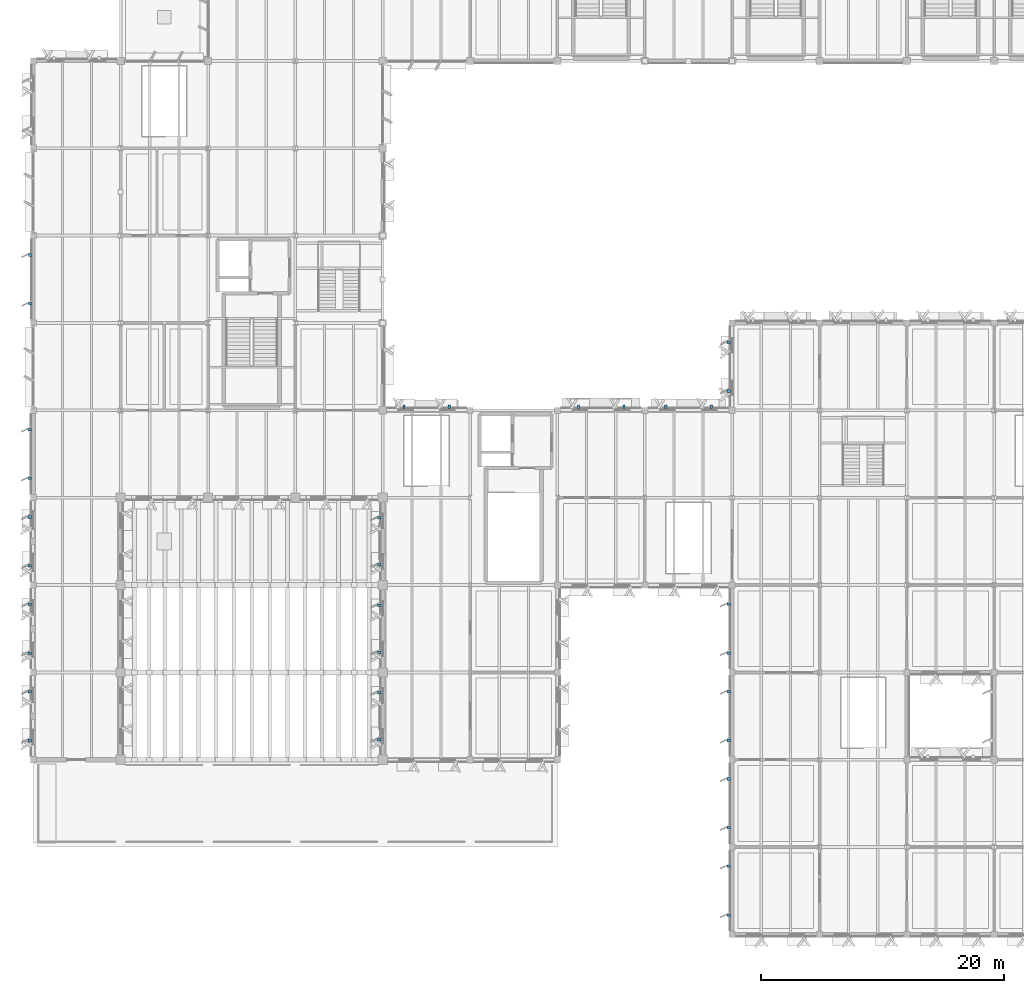
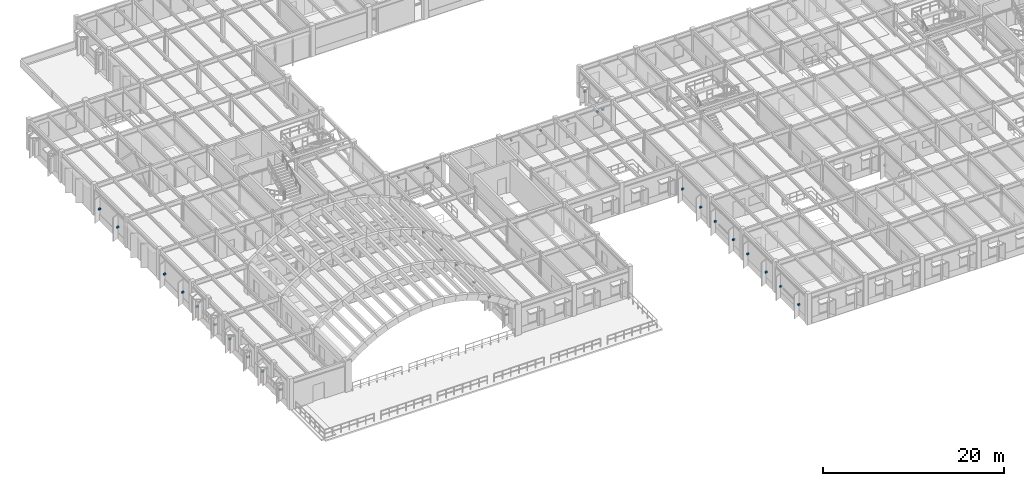
# One storey, part 45 of 85: 32 discrete accessories.
"""IFC4 building model written with IfcOpenShell, lengths in metres."""

from ifc_helpers import new_model, si_unit, direction, frame, origin, origin_2d, place, context, subcontext, project, spatial, rectangle, extrude, material, type_object, element, save


model = new_model("IFC4")

# Units and contexts
model_context = context("Model", 3, precision=1e-05, world=origin(), true_north=direction((0.0, 1.0)))
body_context = subcontext(model_context, "Body", "Model", "MODEL_VIEW")
ifc_project = project(units=[si_unit("LENGTHUNIT", "METRE"), si_unit("AREAUNIT", "SQUARE_METRE"), si_unit("VOLUMEUNIT", "CUBIC_METRE"), si_unit("PLANEANGLEUNIT", "RADIAN"), si_unit("MASSUNIT", "GRAM", prefix="KILO")], contexts=[model_context])

# Site, building, storey
site_placement = place(None, origin())
site = spatial("IfcSite", under=ifc_project, at=site_placement, CompositionType="ELEMENT")
building_placement = place(site_placement, origin())
building = spatial("IfcBuilding", under=site, at=building_placement, Name="Sillqori Civic Hall", CompositionType="ELEMENT")
storey_placement = place(building_placement, frame((0.0, 0.0, 9.89990234375)))
storey = spatial("IfcBuildingStorey", under=building, at=storey_placement, Name="L03", CompositionType="ELEMENT", Elevation=9.89990234375)

# Discrete accessories
ifc_material = material(Name="Steel ASTM A572 Grade 50", Category="steel")
discrete_accessory_type_1 = type_object("IfcDiscreteAccessoryType", Name="BRK-FAC-240", PredefinedType="BRACKET", material=ifc_material)
for number, where, z_axis, x_axis, name in (
    (1, (37.762939453125, 50.679931640625, 2.7001953125), (0.0, 0.0, 1.0), (1.0, 0.0, 0.0), "Sun-hood steel bracket L03-05-06-N.1"),
    (2, (41.487060546875, 50.679931640625, 2.7001953125), (0.0, 0.0, 1.0), (1.0, 0.0, 0.0), "Sun-hood steel bracket L03-05-06-N.2"),
    (3, (52.1240234375, 50.679931640625, 2.7001953125), (0.0, 0.0, 1.0), (1.0, 0.0, 0.0), "Sun-hood steel bracket L03-07-06-N.1"),
    (4, (55.8759765625, 50.679931640625, 2.7001953125), (0.0, 0.0, 1.0), (1.0, 0.0, 0.0), "Sun-hood steel bracket L03-07-06-N.2"),
    (5, (59.323974609375, 50.679931640625, 2.7001953125), (0.0, 0.0, 1.0), (1.0, 0.0, 0.0), "Sun-hood steel bracket L03-08-06-N.1"),
    (6, (63.075927734375, 50.679931640625, 2.7001953125), (0.0, 0.0, 1.0), (1.0, 0.0, 0.0), "Sun-hood steel bracket L03-08-06-N.2"),
):
    element("IfcDiscreteAccessory", number, at=place(storey_placement, frame(where, z_axis=z_axis, x_axis=x_axis)), inside=storey, type_object=discrete_accessory_type_1, Name=name, PredefinedType="BRACKET", context=body_context, shape_type="SweptSolid", body=[
        extrude(rectangle(XDim=0.179931640625, YDim=0.280029296875, at=origin_2d()), origin(), (0.0, 0.0, 1.0), 0.179931640625),
    ])
discrete_accessory_type_2 = type_object("IfcDiscreteAccessoryType", Name="BRK-FIN-280", PredefinedType="BRACKET", material=ifc_material)
for number, where, z_axis, x_axis, name in (
    (7, (6.909912109375, 23.18994140625, 1.6337890625), (0.0, 0.0, 1.0), (0.0, 1.0, 0.0), "Brise-soleil fin steel bracket L03-01-03-W.1"),
    (8, (6.909912109375, 27.2099609375, 1.6337890625), (0.0, 0.0, 1.0), (0.0, 1.0, 0.0), "Brise-soleil fin steel bracket L03-01-03-W.2"),
    (9, (6.909912109375, 30.389892578125, 1.6337890625), (0.0, 0.0, 1.0), (0.0, 1.0, 0.0), "Brise-soleil fin steel bracket L03-01-04-W.1"),
    (10, (6.909912109375, 34.409912109375, 1.6337890625), (0.0, 0.0, 1.0), (0.0, 1.0, 0.0), "Brise-soleil fin steel bracket L03-01-04-W.2"),
    (11, (6.909912109375, 37.590087890625, 1.6337890625), (0.0, 0.0, 1.0), (0.0, 1.0, 0.0), "Brise-soleil fin steel bracket L03-01-05-W.1"),
    (12, (6.909912109375, 41.610107421875, 1.6337890625), (0.0, 0.0, 1.0), (0.0, 1.0, 0.0), "Brise-soleil fin steel bracket L03-01-05-W.2"),
    (13, (6.909912109375, 44.7900390625, 1.6337890625), (0.0, 0.0, 1.0), (0.0, 1.0, 0.0), "Brise-soleil fin steel bracket L03-01-06-W.1"),
    (14, (6.909912109375, 48.81005859375, 1.6337890625), (0.0, 0.0, 1.0), (0.0, 1.0, 0.0), "Brise-soleil fin steel bracket L03-01-06-W.2"),
    (15, (6.949951171875, 59.18994140625, 1.6435546875), (0.0, 0.0, 1.0), (0.0, 1.0, 0.0), "Brise-soleil fin steel bracket L03-01-08-W.1"),
    (16, (6.949951171875, 63.2099609375, 1.6435546875), (0.0, 0.0, 1.0), (0.0, 1.0, 0.0), "Brise-soleil fin steel bracket L03-01-08-W.2"),
    (17, (35.7099609375, 23.264892578125, 1.5751953125), (0.0, 0.0, 1.0), (0.0, 1.0, 0.0), "Brise-soleil fin steel bracket L03-05-03-W.1"),
    (18, (35.7099609375, 27.135009765625, 1.5751953125), (0.0, 0.0, 1.0), (0.0, 1.0, 0.0), "Brise-soleil fin steel bracket L03-05-03-W.2"),
    (19, (35.7099609375, 30.465087890625, 1.5751953125), (0.0, 0.0, 1.0), (0.0, 1.0, 0.0), "Brise-soleil fin steel bracket L03-05-04-W.1"),
    (20, (35.7099609375, 34.3349609375, 1.5751953125), (0.0, 0.0, 1.0), (0.0, 1.0, 0.0), "Brise-soleil fin steel bracket L03-05-04-W.2"),
    (21, (35.7099609375, 37.6650390625, 1.5751953125), (0.0, 0.0, 1.0), (0.0, 1.0, 0.0), "Brise-soleil fin steel bracket L03-05-05-W.1"),
    (22, (35.7099609375, 41.534912109375, 1.5751953125), (0.0, 0.0, 1.0), (0.0, 1.0, 0.0), "Brise-soleil fin steel bracket L03-05-05-W.2"),
    (23, (64.52001953125, 8.7900390625, 1.6435546875), (0.0, 0.0, 1.0), (0.0, 1.0, 0.0), "Brise-soleil fin steel bracket L03-09-01-W.1"),
    (24, (64.52001953125, 12.81005859375, 1.6435546875), (0.0, 0.0, 1.0), (0.0, 1.0, 0.0), "Brise-soleil fin steel bracket L03-09-01-W.2"),
    (25, (64.52001953125, 15.989990234375, 1.6435546875), (0.0, 0.0, 1.0), (0.0, 1.0, 0.0), "Brise-soleil fin steel bracket L03-09-02-W.1"),
    (26, (64.52001953125, 20.010009765625, 1.6435546875), (0.0, 0.0, 1.0), (0.0, 1.0, 0.0), "Brise-soleil fin steel bracket L03-09-02-W.2"),
    (27, (64.52001953125, 23.18994140625, 1.6435546875), (0.0, 0.0, 1.0), (0.0, 1.0, 0.0), "Brise-soleil fin steel bracket L03-09-03-W.1"),
    (28, (64.52001953125, 27.2099609375, 1.6435546875), (0.0, 0.0, 1.0), (0.0, 1.0, 0.0), "Brise-soleil fin steel bracket L03-09-03-W.2"),
    (29, (64.52001953125, 30.389892578125, 1.6435546875), (0.0, 0.0, 1.0), (0.0, 1.0, 0.0), "Brise-soleil fin steel bracket L03-09-04-W.1"),
    (30, (64.52001953125, 34.409912109375, 1.6435546875), (0.0, 0.0, 1.0), (0.0, 1.0, 0.0), "Brise-soleil fin steel bracket L03-09-04-W.2"),
    (31, (64.52001953125, 51.989990234375, 1.6435546875), (0.0, 0.0, 1.0), (0.0, 1.0, 0.0), "Brise-soleil fin steel bracket L03-09-07-W.1"),
    (32, (64.52001953125, 56.010009765625, 1.6435546875), (0.0, 0.0, 1.0), (0.0, 1.0, 0.0), "Brise-soleil fin steel bracket L03-09-07-W.2"),
):
    element("IfcDiscreteAccessory", number, at=place(storey_placement, frame(where, z_axis=z_axis, x_axis=x_axis)), inside=storey, type_object=discrete_accessory_type_2, Name=name, PredefinedType="BRACKET", context=body_context, shape_type="SweptSolid", body=[
        extrude(rectangle(XDim=0.219970703125, YDim=0.320068359375, at=origin_2d()), origin(), (0.0, 0.0, 1.0), 0.199951171875),
    ])

save(model, "model.ifc")
